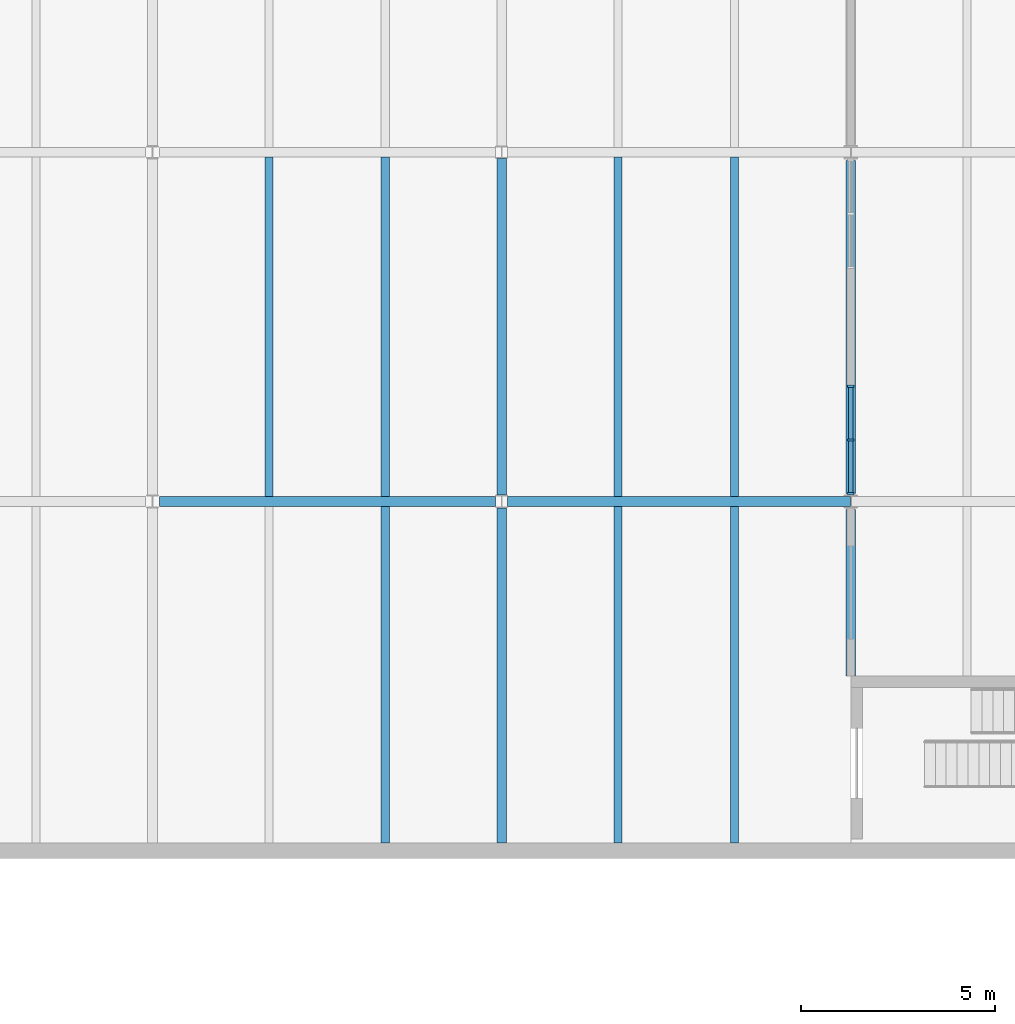
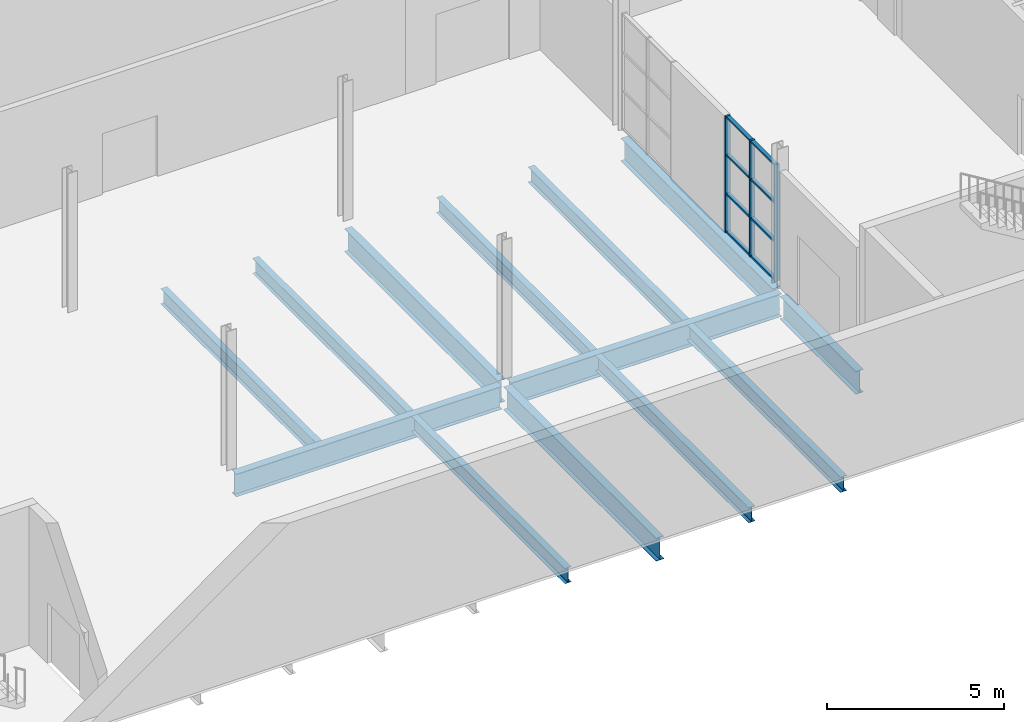
# One storey, part 10 of 31: 13 beams, 11 members, 1 element without a shape of its own.
"""IFC4 building model written with IfcOpenShell, lengths in metres."""

import ifcopenshell
import ifcopenshell.guid

model = None  # the IFC model being written
_history = None  # IfcOwnerHistory: only IFC2X3 demands one
_inside = {}  # id of a spatial element -> (the spatial element, [elements in it])
_under = {}  # id of a project, library or spatial element -> (it, [spatial elements below it])
_declared = {}  # id of a project -> (the project, [libraries it declares])
_typed = {}  # id of a type object -> (the type object, [elements of that type])
_made_of = {}  # id of a material, layer set ... -> (it, [elements and type objects made of it])


def new_model(schema):
    """Start an empty IFC model of exactly this schema.

    Asked for "IFC4X3", IfcOpenShell would pick the latest addendum, in which some entities
    have other attributes; the version numbers below select the first issue.
    IFC2X3 requires an IfcOwnerHistory on every rooted entity: one is made here for all.
    """
    global model, _history
    if schema == "IFC4X3":
        model = ifcopenshell.file(schema_version=(4, 3, 0, 0))
    else:
        model = ifcopenshell.file(schema=schema)
    _inside.clear()
    _under.clear()
    _declared.clear()
    _typed.clear()
    _made_of.clear()
    _history = None
    if model.schema == "IFC2X3":
        org = make("IfcOrganization", Name="unknown")
        user = make(
            "IfcPersonAndOrganization",
            ThePerson=make("IfcPerson", FamilyName="unknown"),
            TheOrganization=org,
        )
        app = make(
            "IfcApplication",
            ApplicationDeveloper=org,
            Version="unknown",
            ApplicationFullName="unknown",
            ApplicationIdentifier="unknown",
        )
        _history = make(
            "IfcOwnerHistory",
            OwningUser=user,
            OwningApplication=app,
            ChangeAction="ADDED",
            CreationDate=0,
        )
    return model


def make(cls, **values):
    """One entity of the class cls with the attributes given. An attribute that is None is left unset."""
    return model.create_entity(
        cls, **{name: value for name, value in values.items() if value is not None}
    )


def rooted(cls, **values):
    """An entity with a GlobalId (a new one), such as an element, a storey or a relation."""
    return make(cls, GlobalId=ifcopenshell.guid.new(), OwnerHistory=_history, **values)


def si_unit(unit_type, name, prefix=None):
    """IfcSIUnit, for example si_unit("LENGTHUNIT", "METRE", prefix="MILLI")."""
    return make("IfcSIUnit", UnitType=unit_type, Prefix=prefix, Name=name)


def assignment(units):
    """IfcUnitAssignment: the units of a project."""
    return None if units is None else make("IfcUnitAssignment", Units=units)


def point(xyz):
    """IfcCartesianPoint."""
    return None if xyz is None else make("IfcCartesianPoint", Coordinates=xyz)


def direction(xyz):
    """IfcDirection."""
    return None if xyz is None else make("IfcDirection", DirectionRatios=xyz)


def frame(location, z_axis=None, x_axis=None):
    """IfcAxis2Placement3D, a coordinate frame: its origin and axes. An axis left out is left unset."""
    return make(
        "IfcAxis2Placement3D",
        Location=point(location),
        Axis=direction(z_axis),
        RefDirection=direction(x_axis),
    )


def frame_2d(location, x_axis=None):
    """IfcAxis2Placement2D, a coordinate frame in the plane: its origin and x axis."""
    return make(
        "IfcAxis2Placement2D", Location=point(location), RefDirection=direction(x_axis)
    )


def origin():
    """The frame at (0, 0, 0) with its axes left unset."""
    return frame((0.0, 0.0, 0.0))


def origin_2d():
    """The frame at (0, 0) in the plane with its x axis left unset."""
    return frame_2d((0.0, 0.0))


def place(relative_to, where):
    """IfcLocalPlacement: puts the frame where relative to a parent placement (None: the world)."""
    return make(
        "IfcLocalPlacement", PlacementRelTo=relative_to, RelativePlacement=where
    )


def context(
    kind, dimensions, precision=None, world=None, true_north=None, identifier=None
):
    """IfcGeometricRepresentationContext, for example the 3D "Model" context."""
    return make(
        "IfcGeometricRepresentationContext",
        ContextIdentifier=identifier,
        ContextType=kind,
        CoordinateSpaceDimension=dimensions,
        Precision=precision,
        WorldCoordinateSystem=world,
        TrueNorth=true_north,
    )


def subcontext(parent, identifier, kind, view, scale=None):
    """IfcGeometricRepresentationSubContext, for example "Body" below "Model"."""
    return make(
        "IfcGeometricRepresentationSubContext",
        ContextIdentifier=identifier,
        ContextType=kind,
        ParentContext=parent,
        TargetScale=scale,
        TargetView=view,
    )


def project(units=None, contexts=None):
    """IfcProject with its units and contexts."""
    return rooted(
        "IfcProject",
        Name="project",
        RepresentationContexts=contexts,
        UnitsInContext=assignment(units),
    )


def spatial(cls, under=None, at=None, **own):
    """A site, building, storey or space (cls), placed at a placement, below another one or the project."""
    s = rooted(cls, ObjectPlacement=at, **own)
    if under is not None:
        _under.setdefault(under.id(), (under, []))[1].append(s)
    return s


def profile(cls, at=None, kind="AREA", **sizes):
    """A parametric profile (cls). Its sizes go by their IFC names, for example OverallWidth=200.0."""
    return make(cls, ProfileType=kind, Position=at, **sizes)


def rectangle(**sizes):
    """IfcRectangleProfileDef."""
    return profile("IfcRectangleProfileDef", **sizes)


def i_section(**sizes):
    """IfcIShapeProfileDef."""
    return profile("IfcIShapeProfileDef", **sizes)


def extrude(swept, where, along, depth):
    """IfcExtrudedAreaSolid: the profile swept, set in the frame where, extruded along a direction by depth."""
    return make(
        "IfcExtrudedAreaSolid",
        SweptArea=swept,
        Position=where,
        ExtrudedDirection=direction(along),
        Depth=depth,
    )


def shape(context_of_items, identifier, shape_type, items):
    """IfcShapeRepresentation: the items that make up one representation, for example the "Body"."""
    return make(
        "IfcShapeRepresentation",
        ContextOfItems=context_of_items,
        RepresentationIdentifier=identifier,
        RepresentationType=shape_type,
        Items=items,
    )


def material(Name=None, Category=None):
    """IfcMaterial."""
    return make("IfcMaterial", Name=Name, Category=Category)


def layer(
    of_material, thickness, ventilated=None, Name=None, Category=None, Priority=None
):
    """IfcMaterialLayer: one layer of a wall or slab, of a material (None: an air gap)."""
    return make(
        "IfcMaterialLayer",
        Material=of_material,
        LayerThickness=thickness,
        IsVentilated=ventilated,
        Name=Name,
        Category=Category,
        Priority=Priority,
    )


def layer_set(layers, Name=None):
    """IfcMaterialLayerSet."""
    return make("IfcMaterialLayerSet", MaterialLayers=layers, LayerSetName=Name)


def material_profile(
    of_material, cross_section, Name=None, Category=None, Priority=None
):
    """IfcMaterialProfile: a cross section and its material."""
    return make(
        "IfcMaterialProfile",
        Name=Name,
        Material=of_material,
        Profile=cross_section,
        Priority=Priority,
        Category=Category,
    )


def profile_set(profiles, Name=None, composite=None):
    """IfcMaterialProfileSet."""
    return make(
        "IfcMaterialProfileSet",
        Name=Name,
        MaterialProfiles=profiles,
        CompositeProfile=composite,
    )


def made_of(thing, what):
    """Note that an element or type object is made of a material, layer set ...; save() writes the relation."""
    if what is not None:
        _made_of.setdefault(what.id(), (what, []))[1].append(thing)
    return thing


def type_object(cls, material=None, **own):
    """A type object (cls), such as IfcWallType, which elements share."""
    return made_of(rooted(cls, **own), material)


def element(
    cls,
    number,
    at=None,
    inside=None,
    cuts=None,
    type_object=None,
    material=None,
    context=None,
    identifier="Body",
    shape_type=None,
    held_by="IfcProductDefinitionShape",
    body=None,
    shapes=None,
    **own,
):
    """One element of the class cls, such as IfcWall. Its Tag is "e" and its number.

    at: its placement. inside: the storey or other place that contains it. cuts: it is an
    opening in that element (IfcRelVoidsElement). A single representation is given by context,
    identifier, shape_type and body (its items); several are given by shapes. held_by: the class
    of the entity that holds the representations. save() writes the other relations.
    """
    e = rooted(cls, Tag="e%d" % number, ObjectPlacement=at, **own)
    if body is not None:
        shapes = [shape(context, identifier, shape_type, body)]
    if shapes is not None:
        e.Representation = make(held_by, Representations=shapes)
    if inside is not None:
        _inside.setdefault(inside.id(), (inside, []))[1].append(e)
    if cuts is not None:
        rooted(
            "IfcRelVoidsElement", RelatingBuildingElement=cuts, RelatedOpeningElement=e
        )
    if type_object is not None:
        _typed.setdefault(type_object.id(), (type_object, []))[1].append(e)
    return made_of(e, material)


def aggregate(whole, parts):
    """IfcRelAggregates: a whole, such as a stair, and the parts it consists of."""
    return rooted("IfcRelAggregates", RelatingObject=whole, RelatedObjects=parts)


def save(model, path):
    """Write the relations noted so far, then the file.

    IfcRelAggregates (storeys below a building ...), IfcRelContainedInSpatialStructure (elements
    in a storey), IfcRelDefinesByType, IfcRelAssociatesMaterial and IfcRelDeclares: one each for
    every whole, place, type object, material and project.
    """
    for whole, parts in _under.values():
        aggregate(whole, parts)
    for where, things in _inside.values():
        rooted(
            "IfcRelContainedInSpatialStructure",
            RelatedElements=things,
            RelatingStructure=where,
        )
    for kind, things in _typed.values():
        rooted("IfcRelDefinesByType", RelatedObjects=things, RelatingType=kind)
    for what, things in _made_of.values():
        rooted("IfcRelAssociatesMaterial", RelatedObjects=things, RelatingMaterial=what)
    for by, libraries in _declared.values():
        rooted("IfcRelDeclares", RelatingContext=by, RelatedDefinitions=libraries)
    model.write(path)


model = new_model("IFC4")

# Units and contexts
model_context = context("Model", 3, precision=1e-05, world=origin(), true_north=direction((0.0, 1.0)))
body_context = subcontext(model_context, "Body", "Model", "MODEL_VIEW")
ifc_project = project(units=[si_unit("LENGTHUNIT", "METRE"), si_unit("AREAUNIT", "SQUARE_METRE"), si_unit("VOLUMEUNIT", "CUBIC_METRE"), si_unit("PLANEANGLEUNIT", "RADIAN"), si_unit("MASSUNIT", "GRAM", prefix="KILO")], contexts=[model_context])

# Site, building, storey
site_placement = place(None, origin())
site = spatial("IfcSite", under=ifc_project, at=site_placement, CompositionType="ELEMENT")
building_placement = place(site_placement, origin())
building = spatial("IfcBuilding", under=site, at=building_placement, Name="Halyard Row Museum", CompositionType="ELEMENT")
storey_placement = place(building_placement, frame((0.0, 0.0, -4.800048828125)))
storey = spatial("IfcBuildingStorey", under=building, at=storey_placement, Name="B1", CompositionType="ELEMENT", Elevation=-4.800048828125)

# Curtain wall, members
ifc_material_1 = material(Name="Fire-resisting laminated glazing", Category="glass")
ifc_layer = layer(ifc_material_1, 0.159912109375)
ifc_layer_set = layer_set([ifc_layer], Name="Fire-resisting laminated glazing")
curtain_wall_type = type_object("IfcCurtainWallType", Name="Curtain wall atrium screen 160 deep", PredefinedType="NOTDEFINED", material=ifc_layer_set)
curtain_wall_placement = place(storey_placement, origin())
curtain_wall = element("IfcCurtainWall", 1, at=curtain_wall_placement, inside=storey, type_object=curtain_wall_type, Name="Curtain wall CW118", PredefinedType="NOTDEFINED")
ifc_material_2 = material(Name="Powder-coated aluminium section", Category="aluminium")
ifc_material_profile_1 = material_profile(ifc_material_2, rectangle(XDim=0.159912109375, YDim=0.06005859375, at=origin_2d()), Name="160x60 mullion")
ifc_profile_set_1 = profile_set([ifc_material_profile_1], Name="Powder-coated aluminium section")
member_type_1 = type_object("IfcMemberType", Name="Curtain wall mullion CM5 60 x 160", PredefinedType="MULLION", material=ifc_profile_set_1)
member_1_placement = place(storey_placement, frame((63.0, 27.199462890625, 0.0), z_axis=(0.0, 0.0, 1.0), x_axis=(-1.0, 0.0, 0.0)))
member_1 = element("IfcMember", 2, at=member_1_placement, type_object=member_type_1, Name="CW118 mullion 1", PredefinedType="MULLION", context=body_context, shape_type="SweptSolid", body=[
    extrude(rectangle(XDim=0.159912109375, YDim=0.06005859375, at=origin_2d()), origin(), (0.0, 0.0, 1.0), 4.0234375),
])
member_2_placement = place(storey_placement, frame((63.0, 28.584716796875, 0.0), z_axis=(0.0, 0.0, 1.0), x_axis=(-1.0, 0.0, 0.0)))
member_2 = element("IfcMember", 3, at=member_2_placement, type_object=member_type_1, Name="CW118 mullion 2", PredefinedType="MULLION", context=body_context, shape_type="SweptSolid", body=[
    extrude(rectangle(XDim=0.159912109375, YDim=0.06005859375, at=origin_2d()), origin(), (0.0, 0.0, 1.0), 4.0234375),
])
member_3_placement = place(storey_placement, frame((63.0, 29.969970703125, 0.0), z_axis=(0.0, 0.0, 1.0), x_axis=(-1.0, 0.0, 0.0)))
member_3 = element("IfcMember", 4, at=member_3_placement, type_object=member_type_1, Name="CW118 mullion 3", PredefinedType="MULLION", context=body_context, shape_type="SweptSolid", body=[
    extrude(rectangle(XDim=0.159912109375, YDim=0.06005859375, at=origin_2d()), origin(), (0.0, 0.0, 1.0), 4.0234375),
])
ifc_material_3 = material(Name="Powder-coated aluminium section", Category="aluminium")
ifc_material_profile_2 = material_profile(ifc_material_3, rectangle(XDim=0.1201171875, YDim=0.06005859375, at=origin_2d()), Name="120x60 transom")
ifc_profile_set_2 = profile_set([ifc_material_profile_2], Name="Powder-coated aluminium section")
member_type_2 = type_object("IfcMemberType", Name="Curtain wall transom CT5 60 x 120", PredefinedType="USERDEFINED", material=ifc_profile_set_2)
member_4_placement = place(storey_placement, frame((63.0, 27.2294921875, 0.030029296875), z_axis=(0.0, 1.0, 0.0), x_axis=(-1.0, 0.0, 0.0)))
member_4 = element("IfcMember", 5, at=member_4_placement, type_object=member_type_2, Name="CW118 transom 1.1", ObjectType="TRANSOM", PredefinedType="USERDEFINED", context=body_context, shape_type="SweptSolid", body=[
    extrude(rectangle(XDim=0.1201171875, YDim=0.06005859375, at=origin_2d()), origin(), (0.0, 0.0, 1.0), 1.3251953125),
])
member_5_placement = place(storey_placement, frame((63.0, 27.2294921875, 1.341064453125), z_axis=(0.0, 1.0, 0.0), x_axis=(-1.0, 0.0, 0.0)))
member_5 = element("IfcMember", 6, at=member_5_placement, type_object=member_type_2, Name="CW118 transom 1.2", ObjectType="TRANSOM", PredefinedType="USERDEFINED", context=body_context, shape_type="SweptSolid", body=[
    extrude(rectangle(XDim=0.1201171875, YDim=0.06005859375, at=origin_2d()), origin(), (0.0, 0.0, 1.0), 1.3251953125),
])
member_6_placement = place(storey_placement, frame((63.0, 27.2294921875, 2.682373046875), z_axis=(0.0, 1.0, 0.0), x_axis=(-1.0, 0.0, 0.0)))
member_6 = element("IfcMember", 7, at=member_6_placement, type_object=member_type_2, Name="CW118 transom 1.3", ObjectType="TRANSOM", PredefinedType="USERDEFINED", context=body_context, shape_type="SweptSolid", body=[
    extrude(rectangle(XDim=0.1201171875, YDim=0.06005859375, at=origin_2d()), origin(), (0.0, 0.0, 1.0), 1.3251953125),
])
member_7_placement = place(storey_placement, frame((63.0, 27.2294921875, 3.993408203125), z_axis=(0.0, 1.0, 0.0), x_axis=(-1.0, 0.0, 0.0)))
member_7 = element("IfcMember", 8, at=member_7_placement, type_object=member_type_2, Name="CW118 transom 1.4", ObjectType="TRANSOM", PredefinedType="USERDEFINED", context=body_context, shape_type="SweptSolid", body=[
    extrude(rectangle(XDim=0.1201171875, YDim=0.06005859375, at=origin_2d()), origin(), (0.0, 0.0, 1.0), 1.3251953125),
])
member_8_placement = place(storey_placement, frame((63.0, 28.61474609375, 0.030029296875), z_axis=(0.0, 1.0, 0.0), x_axis=(-1.0, 0.0, 0.0)))
member_8 = element("IfcMember", 9, at=member_8_placement, type_object=member_type_2, Name="CW118 transom 2.1", ObjectType="TRANSOM", PredefinedType="USERDEFINED", context=body_context, shape_type="SweptSolid", body=[
    extrude(rectangle(XDim=0.1201171875, YDim=0.06005859375, at=origin_2d()), origin(), (0.0, 0.0, 1.0), 1.3251953125),
])
member_9_placement = place(storey_placement, frame((63.0, 28.61474609375, 1.341064453125), z_axis=(0.0, 1.0, 0.0), x_axis=(-1.0, 0.0, 0.0)))
member_9 = element("IfcMember", 10, at=member_9_placement, type_object=member_type_2, Name="CW118 transom 2.2", ObjectType="TRANSOM", PredefinedType="USERDEFINED", context=body_context, shape_type="SweptSolid", body=[
    extrude(rectangle(XDim=0.1201171875, YDim=0.06005859375, at=origin_2d()), origin(), (0.0, 0.0, 1.0), 1.3251953125),
])
member_10_placement = place(storey_placement, frame((63.0, 28.61474609375, 2.682373046875), z_axis=(0.0, 1.0, 0.0), x_axis=(-1.0, 0.0, 0.0)))
member_10 = element("IfcMember", 11, at=member_10_placement, type_object=member_type_2, Name="CW118 transom 2.3", ObjectType="TRANSOM", PredefinedType="USERDEFINED", context=body_context, shape_type="SweptSolid", body=[
    extrude(rectangle(XDim=0.1201171875, YDim=0.06005859375, at=origin_2d()), origin(), (0.0, 0.0, 1.0), 1.3251953125),
])
member_11_placement = place(storey_placement, frame((63.0, 28.61474609375, 3.993408203125), z_axis=(0.0, 1.0, 0.0), x_axis=(-1.0, 0.0, 0.0)))
member_11 = element("IfcMember", 12, at=member_11_placement, type_object=member_type_2, Name="CW118 transom 2.4", ObjectType="TRANSOM", PredefinedType="USERDEFINED", context=body_context, shape_type="SweptSolid", body=[
    extrude(rectangle(XDim=0.1201171875, YDim=0.06005859375, at=origin_2d()), origin(), (0.0, 0.0, 1.0), 1.3251953125),
])
aggregate(curtain_wall, [member_1, member_2, member_3, member_4, member_5, member_6, member_7, member_8, member_9, member_10, member_11])

# Beams
ifc_material_4 = material(Name="Steel Grade 300", Category="steel")
ifc_material_profile_3 = material_profile(ifc_material_4, i_section(OverallWidth=0.25, OverallDepth=0.7919921875, WebThickness=0.010009765625, FlangeThickness=0.01611328125, at=origin_2d()), Name="800WB122")
ifc_profile_set_3 = profile_set([ifc_material_profile_3], Name="Steel Grade 300")
beam_type_1 = type_object("IfcBeamType", Name="Girder beam 800WB122 (lowered 85)", PredefinedType="BEAM", material=ifc_profile_set_3)
beam_1_placement = place(storey_placement, frame((45.175048828125, 27.0, -0.64599609375), z_axis=(1.0, 0.0, 0.0), x_axis=(0.0, 1.0, 0.0)))
element("IfcBeam", 13, at=beam_1_placement, inside=storey, type_object=beam_type_1, Name="Beam B1-003", PredefinedType="BEAM", context=body_context, shape_type="SweptSolid", body=[
    extrude(i_section(OverallWidth=0.25, OverallDepth=0.7919921875, WebThickness=0.010009765625, FlangeThickness=0.01611328125, at=origin_2d()), origin(), (0.0, 0.0, 1.0), 8.66943359375),
])
beam_2_placement = place(storey_placement, frame((54.155517578125, 27.0, -0.64599609375), z_axis=(1.0, 0.0, 0.0), x_axis=(0.0, 1.0, 0.0)))
element("IfcBeam", 14, at=beam_2_placement, inside=storey, type_object=beam_type_1, Name="Beam B1-004", PredefinedType="BEAM", context=body_context, shape_type="SweptSolid", body=[
    extrude(i_section(OverallWidth=0.25, OverallDepth=0.7919921875, WebThickness=0.010009765625, FlangeThickness=0.01611328125, at=origin_2d()), origin(), (0.0, 0.0, 1.0), 8.83203125),
])
beam_3_placement = place(storey_placement, frame((54.0, 18.199951171875, -0.64599609375), z_axis=(0.0, 1.0, 0.0), x_axis=(-1.0, 0.0, 0.0)))
element("IfcBeam", 15, at=beam_3_placement, inside=storey, type_object=beam_type_1, Name="Beam B1-030", PredefinedType="BEAM", context=body_context, shape_type="SweptSolid", body=[
    extrude(i_section(OverallWidth=0.25, OverallDepth=0.7919921875, WebThickness=0.010009765625, FlangeThickness=0.01611328125, at=origin_2d()), origin(), (0.0, 0.0, 1.0), 8.636474609375),
])
beam_4_placement = place(storey_placement, frame((54.0, 27.16357421875, -0.64599609375), z_axis=(0.0, 1.0, 0.0), x_axis=(-1.0, 0.0, 0.0)))
element("IfcBeam", 16, at=beam_4_placement, inside=storey, type_object=beam_type_1, Name="Beam B1-031", PredefinedType="BEAM", context=body_context, shape_type="SweptSolid", body=[
    extrude(i_section(OverallWidth=0.25, OverallDepth=0.7919921875, WebThickness=0.010009765625, FlangeThickness=0.01611328125, at=origin_2d()), origin(), (0.0, 0.0, 1.0), 8.6728515625),
])
beam_5_placement = place(storey_placement, frame((63.0, 22.5, -0.64599609375), z_axis=(0.0, 1.0, 0.0), x_axis=(-1.0, 0.0, 0.0)))
element("IfcBeam", 17, at=beam_5_placement, inside=storey, type_object=beam_type_1, Name="Beam B1-033", PredefinedType="BEAM", context=body_context, shape_type="SweptSolid", body=[
    extrude(i_section(OverallWidth=0.25, OverallDepth=0.7919921875, WebThickness=0.010009765625, FlangeThickness=0.01611328125, at=origin_2d()), origin(), (0.0, 0.0, 1.0), 4.29296875),
])
beam_6_placement = place(storey_placement, frame((63.0, 27.20703125, -0.64599609375), z_axis=(0.0, 1.0, 0.0), x_axis=(-1.0, 0.0, 0.0)))
element("IfcBeam", 18, at=beam_6_placement, inside=storey, type_object=beam_type_1, Name="Beam B1-034", PredefinedType="BEAM", context=body_context, shape_type="SweptSolid", body=[
    extrude(i_section(OverallWidth=0.25, OverallDepth=0.7919921875, WebThickness=0.010009765625, FlangeThickness=0.01611328125, at=origin_2d()), origin(), (0.0, 0.0, 1.0), 8.5859375),
])
ifc_material_5 = material(Name="Steel Grade 300", Category="steel")
ifc_material_profile_4 = material_profile(ifc_material_5, i_section(OverallWidth=0.208984375, OverallDepth=0.5283203125, WebThickness=0.009521484375, FlangeThickness=0.01318359375, FilletRadius=0.013916015625, at=origin_2d()), Name="530UB82.0")
ifc_profile_set_4 = profile_set([ifc_material_profile_4], Name="Steel Grade 300")
beam_type_2 = type_object("IfcBeamType", Name="Secondary beam 530UB82.0 (lowered 85)", PredefinedType="BEAM", material=ifc_profile_set_4)
for number, where, z_axis, x_axis, name in (
    (19, (51.0, 18.199951171875, -0.51416015625), (0.0, 1.0, 0.0), (-1.0, 0.0, 0.0), "Beam B1-053"),
    (20, (57.0, 18.199951171875, -0.51416015625), (0.0, 1.0, 0.0), (-1.0, 0.0, 0.0), "Beam B1-054"),
    (21, (60.0, 18.199951171875, -0.51416015625), (0.0, 1.0, 0.0), (-1.0, 0.0, 0.0), "Beam B1-055"),
):
    element("IfcBeam", number, at=place(storey_placement, frame(where, z_axis=z_axis, x_axis=x_axis)), inside=storey, type_object=beam_type_2, Name=name, PredefinedType="BEAM", context=body_context, shape_type="SweptSolid", body=[
        extrude(i_section(OverallWidth=0.208984375, OverallDepth=0.5283203125, WebThickness=0.009521484375, FlangeThickness=0.01318359375, FilletRadius=0.013916015625, at=origin_2d()), origin(), (0.0, 0.0, 1.0), 8.675048828125),
    ])
for number, where, z_axis, x_axis, name in (
    (22, (48.0, 27.125, -0.51416015625), (0.0, 1.0, 0.0), (-1.0, 0.0, 0.0), "Beam B1-072"),
    (23, (51.0, 27.125, -0.51416015625), (0.0, 1.0, 0.0), (-1.0, 0.0, 0.0), "Beam B1-073"),
    (24, (57.0, 27.125, -0.51416015625), (0.0, 1.0, 0.0), (-1.0, 0.0, 0.0), "Beam B1-074"),
    (25, (60.0, 27.125, -0.51416015625), (0.0, 1.0, 0.0), (-1.0, 0.0, 0.0), "Beam B1-075"),
):
    element("IfcBeam", number, at=place(storey_placement, frame(where, z_axis=z_axis, x_axis=x_axis)), inside=storey, type_object=beam_type_2, Name=name, PredefinedType="BEAM", context=body_context, shape_type="SweptSolid", body=[
        extrude(i_section(OverallWidth=0.208984375, OverallDepth=0.5283203125, WebThickness=0.009521484375, FlangeThickness=0.01318359375, FilletRadius=0.013916015625, at=origin_2d()), origin(), (0.0, 0.0, 1.0), 8.75),
    ])

save(model, "model.ifc")
